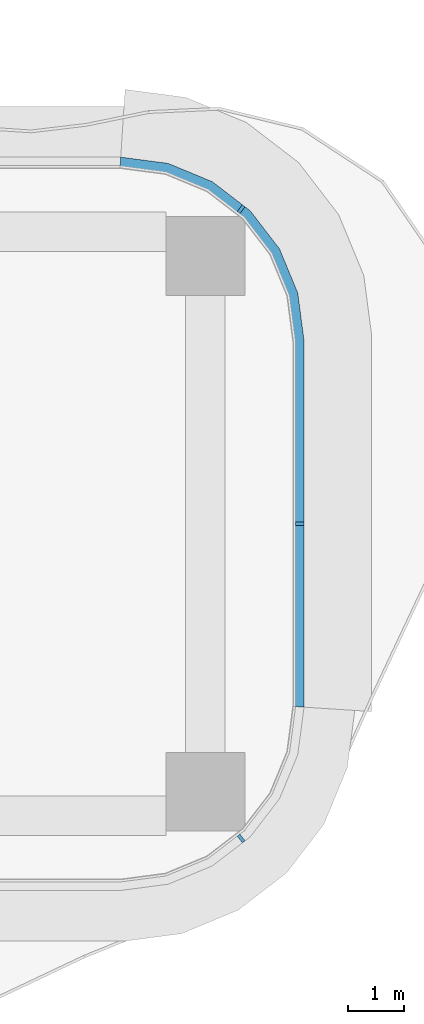
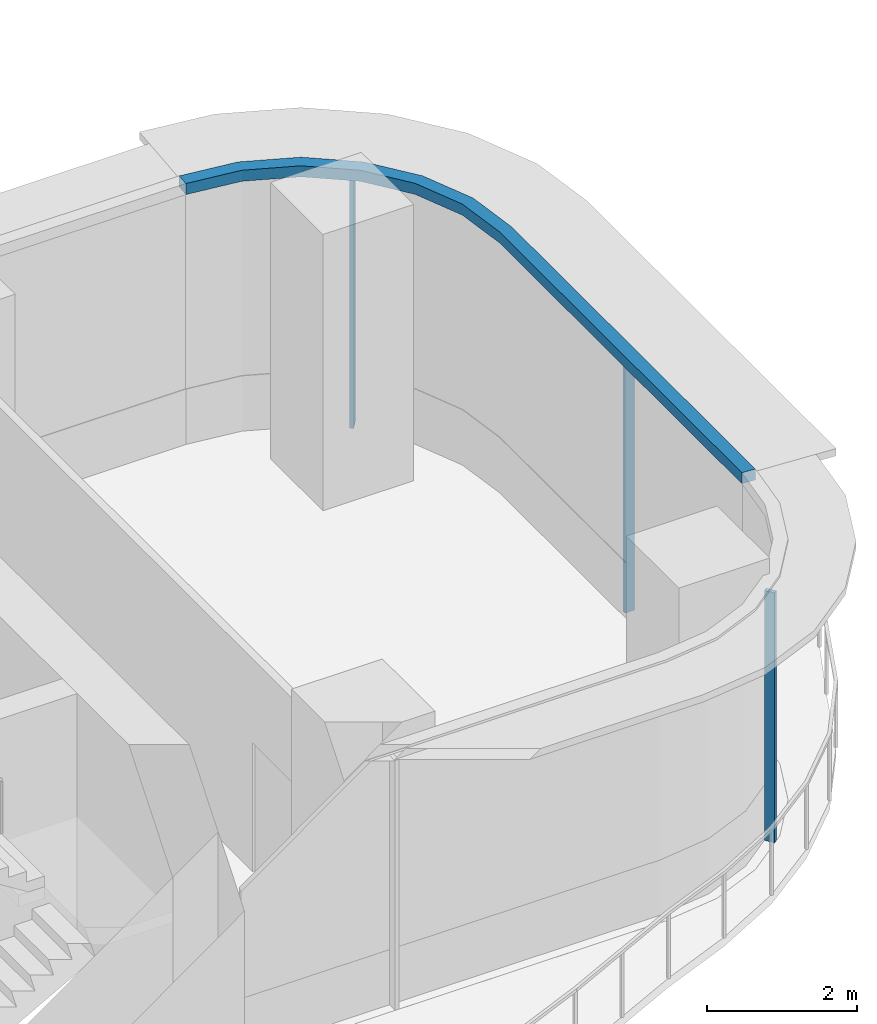
# One storey, part 13 of 23: 4 members, 2 elements without a shape of their own.
"""IFC4 building model written with IfcOpenShell, lengths in metres."""

from ifc_helpers import new_model, si_unit, direction, frame, origin, origin_2d, place, context, subcontext, project, spatial, polyline, rectangle, outline, extrude, source, transform, mapped, material, layer, layer_set, material_profile, profile_set, type_object, element, aggregate, save


model = new_model("IFC4")

# Units and contexts
model_context = context("Model", 3, precision=1e-05, world=origin(), true_north=direction((0.0, 1.0)))
body_context = subcontext(model_context, "Body", "Model", "MODEL_VIEW")
ifc_project = project(units=[si_unit("LENGTHUNIT", "METRE"), si_unit("AREAUNIT", "SQUARE_METRE"), si_unit("VOLUMEUNIT", "CUBIC_METRE"), si_unit("PLANEANGLEUNIT", "RADIAN"), si_unit("MASSUNIT", "GRAM", prefix="KILO")], contexts=[model_context])

# Site, building, storey
site_placement = place(None, origin())
site = spatial("IfcSite", under=ifc_project, at=site_placement, CompositionType="ELEMENT")
building_placement = place(site_placement, origin())
building = spatial("IfcBuilding", under=site, at=building_placement, Name="Trellis Farm Tower", CompositionType="ELEMENT")
storey_placement = place(building_placement, frame((0.0, 0.0, 74.5)))
storey = spatial("IfcBuildingStorey", under=building, at=storey_placement, Name="L15", CompositionType="ELEMENT", Elevation=74.5)

# Curtain wall, member
ifc_material_1 = material(Name="Aluminium and glass curtain wall", Category="aluminium")
ifc_layer_1 = layer(ifc_material_1, 0.18994140625)
ifc_layer_set_1 = layer_set([ifc_layer_1], Name="RIBBON CURTAIN WALL CW1")
curtain_wall_type = type_object("IfcCurtainWallType", Name="RIBBON CURTAIN WALL CW1", PredefinedType="NOTDEFINED", material=ifc_layer_set_1)
placement = place(storey_placement, origin())
curtain_wall_1 = element("IfcCurtainWall", 1, at=placement, inside=storey, type_object=curtain_wall_type, Name="CW1 006", PredefinedType="NOTDEFINED")
ifc_material_2 = material(Name="Aluminium extrusion 6063-T6", Category="aluminium")
ifc_material_profile = material_profile(ifc_material_2, rectangle(XDim=0.06005859375, YDim=0.14990234375, at=origin_2d()), Name="MULLION 60x150")
ifc_profile_set = profile_set([ifc_material_profile], Name="Aluminium extrusion 6063-T6")
member_type_1 = type_object("IfcMemberType", Name="CW1 MULLION 60x150", PredefinedType="MULLION", material=ifc_profile_set)
shared_shape_1 = source(origin(), body_context, "Body", "SweptSolid", [
    extrude(rectangle(XDim=0.06005859375, YDim=0.14990234375, at=origin_2d()), origin(), (0.0, 0.0, 1.0), 4.070068359375),
])
member_1_placement = place(storey_placement, frame((31.385498046875, -5.578369140625, 0.0), z_axis=(0.0, 0.0, 1.0), x_axis=(0.793353340291, 0.608761429009, 0.0)))
member_1 = element("IfcMember", 2, at=member_1_placement, type_object=member_type_1, Name="MU1 006-02", PredefinedType="MULLION", context=body_context, shape_type="MappedRepresentation", body=[
    mapped(shared_shape_1, transform((0.0, 0.0, 0.0))),
])
aggregate(curtain_wall_1, [member_1])

# Curtain wall, members
curtain_wall_2 = element("IfcCurtainWall", 3, at=placement, inside=storey, type_object=curtain_wall_type, Name="CW1 007", PredefinedType="NOTDEFINED")
member_2_placement = place(storey_placement, frame((32.425048828125, 0.0, 0.0), z_axis=(0.0, 0.0, 1.0), x_axis=(0.0, 1.0, 0.0)))
member_2 = element("IfcMember", 4, at=member_2_placement, type_object=member_type_1, Name="MU1 007-01", PredefinedType="MULLION", context=body_context, shape_type="MappedRepresentation", body=[
    mapped(shared_shape_1, transform((0.0, 0.0, 0.0))),
])
member_3_placement = place(storey_placement, frame((31.385498046875, 5.578369140625, 0.0), z_axis=(0.0, 0.0, 1.0), x_axis=(-0.793353340291, 0.608761429009, 0.0)))
member_3 = element("IfcMember", 5, at=member_3_placement, type_object=member_type_1, Name="MU1 007-02", PredefinedType="MULLION", context=body_context, shape_type="MappedRepresentation", body=[
    mapped(shared_shape_1, transform((0.0, 0.0, 0.0))),
])
ifc_layer_2 = layer(ifc_material_2, 0.199951171875)
ifc_layer_set_2 = layer_set([ifc_layer_2], Name="Aluminium extrusion 6063-T6")
member_type_2 = type_object("IfcMemberType", Name="CW1 TRANSOM 200x180", PredefinedType="USERDEFINED", material=ifc_layer_set_2)
shared_shape_2 = source(origin(), body_context, "Body", "SweptSolid", [
    extrude(outline(polyline([(32.5, -3.25), (32.5, 3.25), (32.38916015625, 4.091064453125), (32.064697265625, 4.875), (31.548095703125, 5.548095703125), (30.875, 6.064697265625), (30.091064453125, 6.38916015625), (29.25, 6.5), (29.23681640625, 6.300048828125), (30.0390625, 6.1943359375), (30.774169921875, 5.889892578125), (31.405517578125, 5.405517578125), (31.889892578125, 4.774169921875), (32.1943359375, 4.0390625), (32.300048828125, 3.23681640625), (32.300048828125, -3.23681640625), (32.5, -3.25)])), origin(), (0.0, 0.0, 1.0), 0.179931640625),
])
member_4_placement = place(storey_placement, frame((0.0, 0.0, 4.070068359375)))
member_4 = element("IfcMember", 6, at=member_4_placement, type_object=member_type_2, Name="TR1 007", ObjectType="TRANSOM", PredefinedType="USERDEFINED", context=body_context, shape_type="MappedRepresentation", body=[
    mapped(shared_shape_2, transform((0.0, 0.0, 0.0))),
])
aggregate(curtain_wall_2, [member_2, member_3, member_4])

save(model, "model.ifc")
